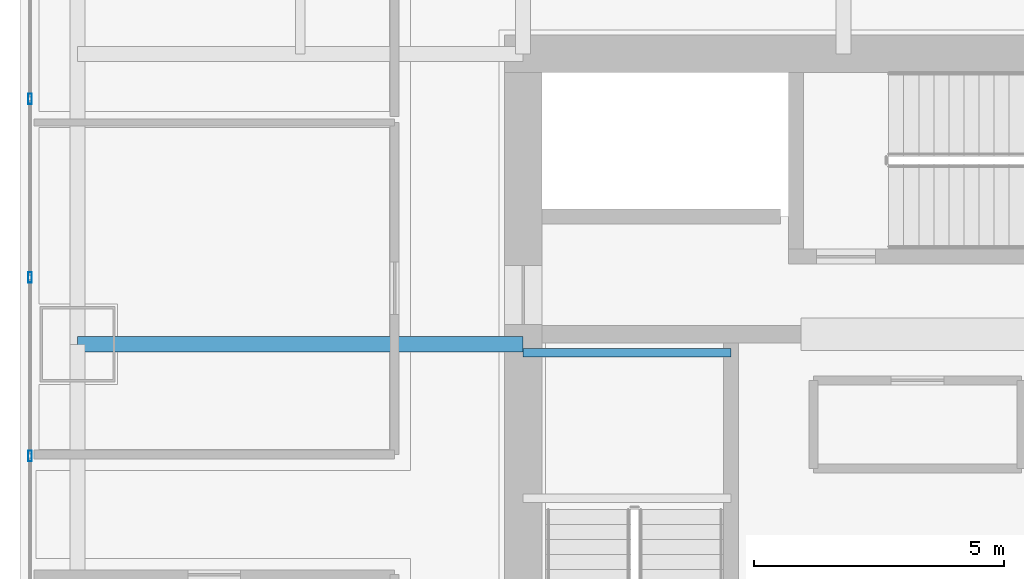
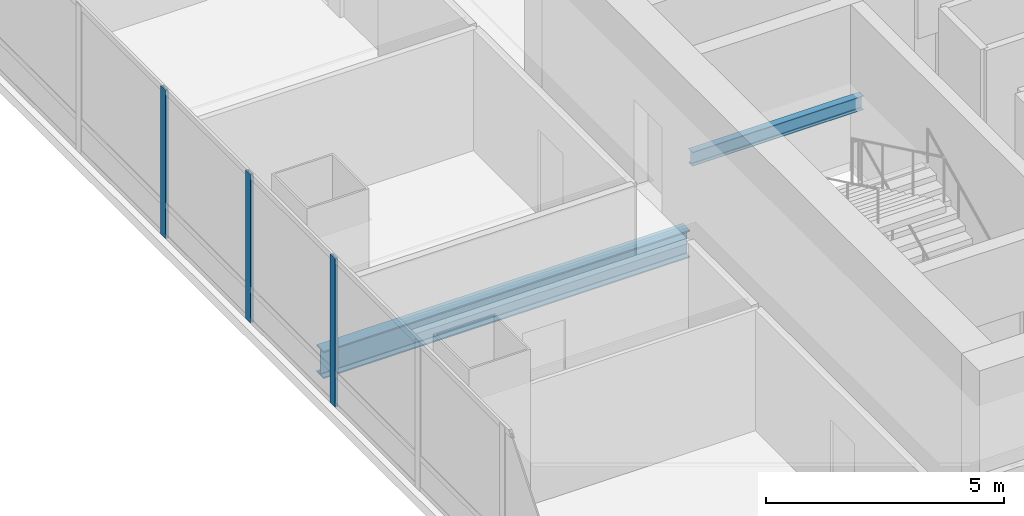
# One storey, part 9 of 40: 3 members, 2 beams, 1 element without a shape of its own.
"""IFC4 building model written with IfcOpenShell, lengths in metres."""

from ifc_helpers import new_model, si_unit, direction, frame, origin, origin_2d, place, context, subcontext, project, spatial, hollow_rectangle, i_section, extrude, material, material_profile, profile_set, type_object, element, aggregate, save


model = new_model("IFC4")

# Units and contexts
model_context = context("Model", 3, precision=1e-05, world=origin(), true_north=direction((0.0, 1.0)))
body_context = subcontext(model_context, "Body", "Model", "MODEL_VIEW")
ifc_project = project(units=[si_unit("LENGTHUNIT", "METRE"), si_unit("AREAUNIT", "SQUARE_METRE"), si_unit("VOLUMEUNIT", "CUBIC_METRE"), si_unit("PLANEANGLEUNIT", "RADIAN"), si_unit("MASSUNIT", "GRAM", prefix="KILO")], contexts=[model_context])

# Site, building, storey
site_placement = place(None, origin())
site = spatial("IfcSite", under=ifc_project, at=site_placement, CompositionType="ELEMENT")
building_placement = place(site_placement, origin())
building = spatial("IfcBuilding", under=site, at=building_placement, Name="Punatoya Terracotta Tower", CompositionType="ELEMENT")
storey_placement = place(building_placement, frame((0.0, 0.0, 76.800048828125)))
storey = spatial("IfcBuildingStorey", under=building, at=storey_placement, Name="L17", CompositionType="ELEMENT", Elevation=76.800048828125)

# Beams
ifc_material_1 = material(Name="Steel S355", Category="steel")
ifc_material_profile_1 = material_profile(ifc_material_1, i_section(OverallWidth=0.300048828125, OverallDepth=0.699951171875, WebThickness=0.01708984375, FlangeThickness=0.031982421875, FilletRadius=0.01806640625, at=origin_2d()))
ifc_profile_set_1 = profile_set([ifc_material_profile_1], Name="Steel S355")
beam_type_1 = type_object("IfcBeamType", Name="BM-PRI-700", PredefinedType="BEAM", material=ifc_profile_set_1)
beam_1_placement = place(storey_placement, frame((-19.10009765625, 3.39990234375, -0.590087890625), z_axis=(1.0, 0.0, 0.0), x_axis=(0.0, 1.0, 0.0)))
element("IfcBeam", 1, at=beam_1_placement, inside=storey, type_object=beam_type_1, Name="BM-L17-PR-WE", PredefinedType="BEAM", context=body_context, shape_type="SweptSolid", body=[
    extrude(i_section(OverallWidth=0.300048828125, OverallDepth=0.699951171875, WebThickness=0.01708984375, FlangeThickness=0.031982421875, FilletRadius=0.01806640625, at=origin_2d()), origin(), (0.0, 0.0, 1.0), 8.900146484375),
])
ifc_material_profile_2 = material_profile(ifc_material_1, i_section(OverallWidth=0.169921875, OverallDepth=0.360107421875, WebThickness=0.008056640625, FlangeThickness=0.0126953125, FilletRadius=0.01806640625, at=origin_2d()))
ifc_profile_set_2 = profile_set([ifc_material_profile_2], Name="Steel S355")
beam_type_2 = type_object("IfcBeamType", Name="BM-SEC-360", PredefinedType="JOIST", material=ifc_profile_set_2)
beam_2_placement = place(storey_placement, frame((-10.199951171875, 3.22998046875, 1.64501953125), z_axis=(1.0, 0.0, 0.0), x_axis=(0.0, 1.0, 0.0)))
element("IfcBeam", 2, at=beam_2_placement, inside=storey, type_object=beam_type_2, Name="BM-L17-ST-1-LD1B", PredefinedType="JOIST", context=body_context, shape_type="SweptSolid", body=[
    extrude(i_section(OverallWidth=0.169921875, OverallDepth=0.360107421875, WebThickness=0.008056640625, FlangeThickness=0.0126953125, FilletRadius=0.01806640625, at=origin_2d()), origin(), (0.0, 0.0, 1.0), 4.14990234375),
])

# Curtain wall, members
ifc_material_2 = material(Name="Aluminium 6063-T6 + Double Low-E Glass", Category="aluminium")
curtain_wall_type = type_object("IfcCurtainWallType", Name="CW-M1", PredefinedType="NOTDEFINED", material=ifc_material_2)
curtain_wall_placement = place(storey_placement, origin())
curtain_wall = element("IfcCurtainWall", 3, at=curtain_wall_placement, inside=storey, type_object=curtain_wall_type, Name="L17 Curtain Wall CW-L17-W13-1", PredefinedType="NOTDEFINED")
ifc_material_3 = material(Name="Aluminium 6063-T6", Category="aluminium")
ifc_material_profile_3 = material_profile(ifc_material_3, hollow_rectangle(XDim=0.074951171875, YDim=0.2099609375, WallThickness=0.00439453125, at=origin_2d()))
ifc_profile_set_3 = profile_set([ifc_material_profile_3], Name="Aluminium 6063-T6")
member_type = type_object("IfcMemberType", Name="CW-MUL-M1", PredefinedType="MULLION", material=ifc_profile_set_3)
member_1_placement = place(storey_placement, frame((-20.050048828125, 8.302001953125, 0.0), z_axis=(0.0, 0.0, 1.0), x_axis=(1.0, 0.0, 0.0)))
member_1 = element("IfcMember", 4, at=member_1_placement, type_object=member_type, Name="CW-L17-W13-1 Mullion 02", PredefinedType="MULLION", context=body_context, shape_type="SweptSolid", body=[
    extrude(hollow_rectangle(XDim=0.074951171875, YDim=0.2099609375, WallThickness=0.00439453125, at=origin_2d()), origin(), (0.0, 0.0, 1.0), 3.81005859375),
])
member_2_placement = place(storey_placement, frame((-20.050048828125, 4.73486328125, 0.0), z_axis=(0.0, 0.0, 1.0), x_axis=(1.0, 0.0, 0.0)))
member_2 = element("IfcMember", 5, at=member_2_placement, type_object=member_type, Name="CW-L17-W13-1 Mullion 03", PredefinedType="MULLION", context=body_context, shape_type="SweptSolid", body=[
    extrude(hollow_rectangle(XDim=0.074951171875, YDim=0.2099609375, WallThickness=0.00439453125, at=origin_2d()), origin(), (0.0, 0.0, 1.0), 3.81005859375),
])
member_3_placement = place(storey_placement, frame((-20.050048828125, 1.16748046875, 0.0), z_axis=(0.0, 0.0, 1.0), x_axis=(1.0, 0.0, 0.0)))
member_3 = element("IfcMember", 6, at=member_3_placement, type_object=member_type, Name="CW-L17-W13-1 Mullion 04", PredefinedType="MULLION", context=body_context, shape_type="SweptSolid", body=[
    extrude(hollow_rectangle(XDim=0.074951171875, YDim=0.2099609375, WallThickness=0.00439453125, at=origin_2d()), origin(), (0.0, 0.0, 1.0), 3.81005859375),
])
aggregate(curtain_wall, [member_1, member_2, member_3])

save(model, "model.ifc")
